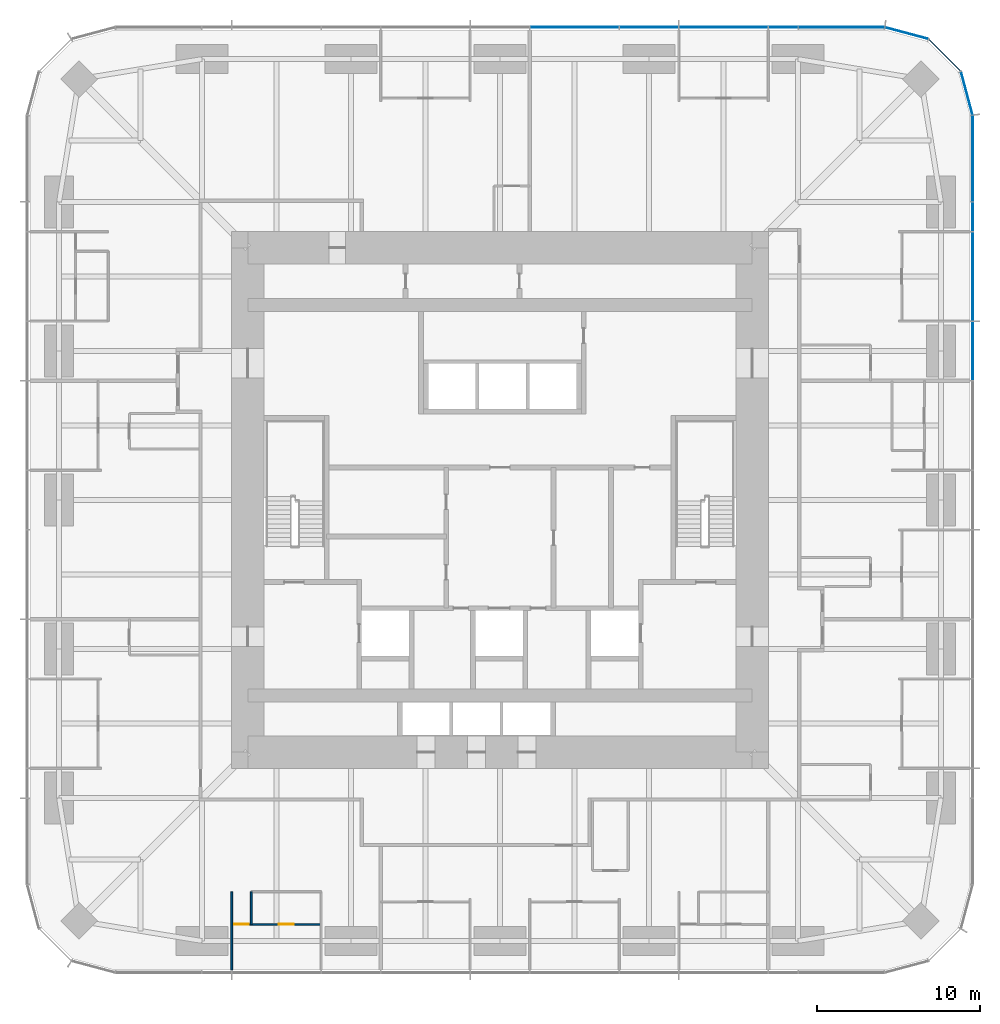
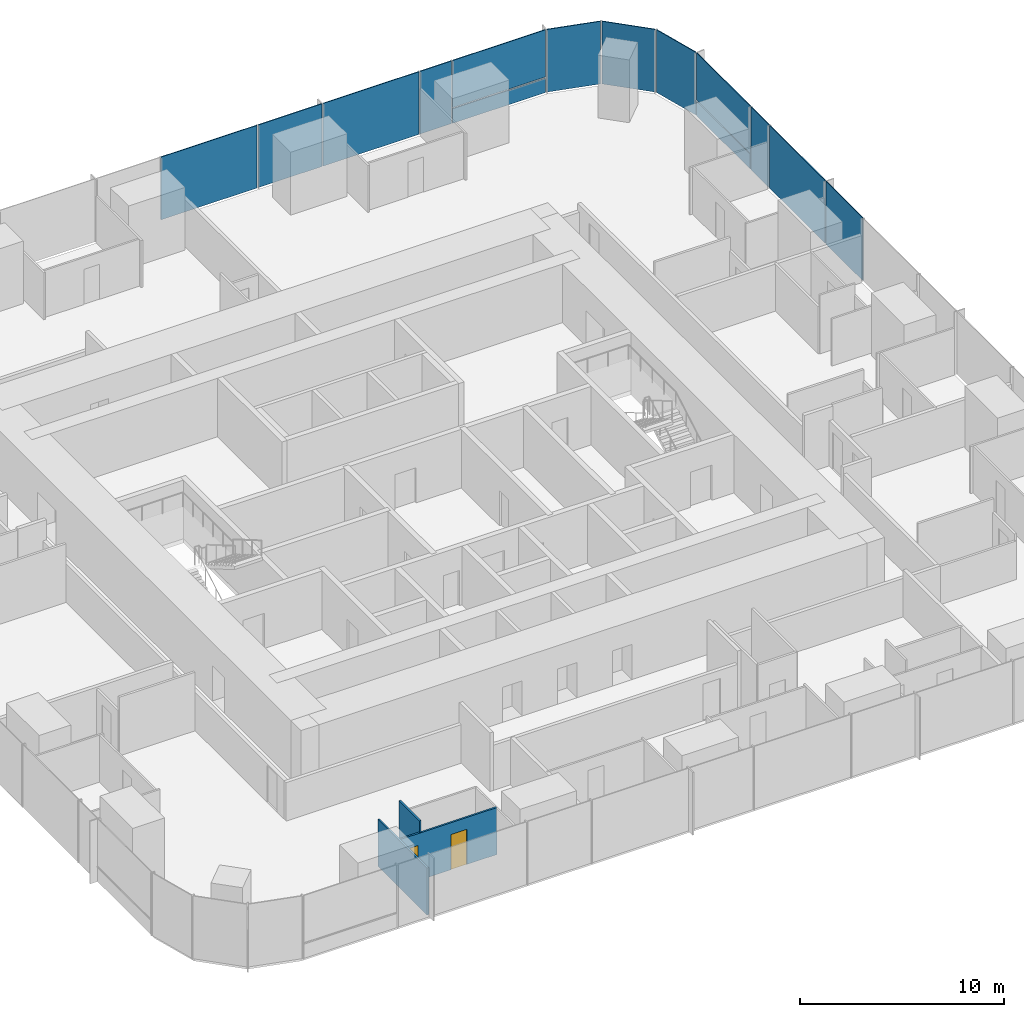
# One storey, part 8 of 13: 14 plates, 3 walls, 2 doors, 2 openings, 3 elements without a shape of their own.
"""IFC4 building model written with IfcOpenShell, lengths in metres."""

from ifc_helpers import new_model, si_unit, direction, frame, frame_2d, origin, origin_2d, place, context, subcontext, project, spatial, rectangle, extrude, material, layer, layer_set, type_object, element, fill, aggregate, save


model = new_model("IFC4")

# Units and contexts
model_context = context("Model", 3, precision=1e-05, world=origin(), true_north=direction((0.0, 1.0)))
body_context = subcontext(model_context, "Body", "Model", "MODEL_VIEW")
ifc_project = project(units=[si_unit("LENGTHUNIT", "METRE"), si_unit("AREAUNIT", "SQUARE_METRE"), si_unit("VOLUMEUNIT", "CUBIC_METRE"), si_unit("PLANEANGLEUNIT", "RADIAN"), si_unit("MASSUNIT", "GRAM", prefix="KILO")], contexts=[model_context])

# Site, building, storey
site_placement = place(None, origin())
site = spatial("IfcSite", under=ifc_project, at=site_placement, CompositionType="ELEMENT")
building_placement = place(site_placement, origin())
building = spatial("IfcBuilding", under=site, at=building_placement, Name="Khuree Lantern Residences", CompositionType="ELEMENT")
storey_placement = place(building_placement, frame((0.0, 0.0, 126.0)))
storey = spatial("IfcBuildingStorey", under=building, at=storey_placement, Name="L31", CompositionType="ELEMENT", Elevation=126.0)

# Curtain wall, plates
ifc_material_1 = material(Name="Bronze anodised aluminium", Category="aluminium")
curtain_wall_type_1 = type_object("IfcCurtainWallType", Name="CW-T2 TOWER CORNER CURTAIN WALL", PredefinedType="USERDEFINED", material=ifc_material_1)
curtain_wall_1_placement = place(storey_placement, origin())
curtain_wall_1 = element("IfcCurtainWall", 1, at=curtain_wall_1_placement, inside=storey, type_object=curtain_wall_type_1, Name="L31 NORTH-EAST CORNER CURTAIN WALL", ObjectType="Faceted corner curtain wall", PredefinedType="USERDEFINED")
ifc_material_2 = material(Name="Bronze tinted triple glazing", Category="glass")
ifc_layer_1 = layer(ifc_material_2, 0.048095703125)
ifc_layer_set_1 = layer_set([ifc_layer_1], Name="FACET PANEL P4")
plate_type_1 = type_object("IfcPlateType", Name="FACET PANEL P4", PredefinedType="CURTAIN_PANEL", material=ifc_layer_set_1)
plate_1_placement = place(storey_placement, frame((28.688720703125, 24.998046875, 0.0), z_axis=(0.0, 0.0, 1.0), x_axis=(-0.258819105321, 0.965925810153, 0.0)))
plate_1 = element("IfcPlate", 2, at=plate_1_placement, type_object=plate_type_1, Name="L31 NORTH-EAST CORNER PANEL 15.1", PredefinedType="CURTAIN_PANEL", context=body_context, shape_type="SweptSolid", body=[
    extrude(rectangle(XDim=2.71923828125, YDim=0.048095703125, at=origin_2d()), origin(), (0.0, 0.0, 1.0), 3.75),
])
plate_2_placement = place(storey_placement, frame((27.33837890625, 27.33837890625, 0.0), z_axis=(0.0, 0.0, 1.0), x_axis=(-0.707106781187, 0.707106781187, 0.0)))
plate_2 = element("IfcPlate", 3, at=plate_2_placement, type_object=plate_type_1, Name="L31 NORTH-EAST CORNER PANEL 16.1", PredefinedType="CURTAIN_PANEL", context=body_context, shape_type="SweptSolid", body=[
    extrude(rectangle(XDim=2.715087890625, YDim=0.048095703125, at=origin_2d()), origin(), (0.0, 0.0, 1.0), 3.75),
])
plate_3_placement = place(storey_placement, frame((24.998046875, 28.688720703125, 0.0), z_axis=(0.0, 0.0, 1.0), x_axis=(-0.965925810153, 0.258819105321, 0.0)))
plate_3 = element("IfcPlate", 4, at=plate_3_placement, type_object=plate_type_1, Name="L31 NORTH-EAST CORNER PANEL 17.1", PredefinedType="CURTAIN_PANEL", context=body_context, shape_type="SweptSolid", body=[
    extrude(rectangle(XDim=2.71923828125, YDim=0.048095703125, at=origin_2d()), origin(), (0.0, 0.0, 1.0), 3.75),
])
aggregate(curtain_wall_1, [plate_1, plate_2, plate_3])

# Curtain wall, plate
curtain_wall_type_2 = type_object("IfcCurtainWallType", Name="CW-T1 TOWER FACE CURTAIN WALL", PredefinedType="USERDEFINED", material=ifc_material_1)
curtain_wall_2_placement = place(storey_placement, origin())
curtain_wall_2 = element("IfcCurtainWall", 5, at=curtain_wall_2_placement, inside=storey, type_object=curtain_wall_type_2, Name="L31 EAST FACE CURTAIN WALL", ObjectType="Stick-built curtain wall", PredefinedType="USERDEFINED")
ifc_material_3 = material(Name="Bronze tinted triple glazing with a ceramic-fritted spandrel band", Category="glass")
ifc_layer_2 = layer(ifc_material_3, 0.048095703125)
ifc_layer_set_2 = layer_set([ifc_layer_2], Name="FIXED LIGHT PANEL P11")
plate_type_2 = type_object("IfcPlateType", Name="FIXED LIGHT PANEL P11", PredefinedType="CURTAIN_PANEL", material=ifc_layer_set_2)
plate_4_placement = place(storey_placement, frame((29.050048828125, 13.739990234375, 0.0), z_axis=(0.0, 0.0, 1.0), x_axis=(0.0, 1.0, 0.0)))
plate_4 = element("IfcPlate", 6, at=plate_4_placement, type_object=plate_type_2, Name="L31 EAST FACE PANEL 12.1", PredefinedType="CURTAIN_PANEL", context=body_context, shape_type="SweptSolid", body=[
    extrude(rectangle(XDim=5.430908203125, YDim=0.048095703125, at=origin_2d()), origin(), (0.0, 0.0, 1.0), 3.75),
])

# Curtain wall, plates
curtain_wall_3_placement = place(storey_placement, origin())
curtain_wall_3 = element("IfcCurtainWall", 7, at=curtain_wall_3_placement, inside=storey, type_object=curtain_wall_type_2, Name="L31 NORTH FACE CURTAIN WALL", ObjectType="Stick-built curtain wall", PredefinedType="USERDEFINED")
plate_5_placement = place(storey_placement, frame((13.739990234375, 29.050048828125, 0.0), z_axis=(0.0, 0.0, 1.0), x_axis=(-1.0, 0.0, 0.0)))
plate_5 = element("IfcPlate", 8, at=plate_5_placement, type_object=plate_type_2, Name="L31 NORTH FACE PANEL 20.1", PredefinedType="CURTAIN_PANEL", context=body_context, shape_type="SweptSolid", body=[
    extrude(rectangle(XDim=5.430908203125, YDim=0.048095703125, at=origin_2d()), origin(), (0.0, 0.0, 1.0), 3.75),
])
plate_6_placement = place(storey_placement, frame((4.580078125, 29.050048828125, 0.0), z_axis=(0.0, 0.0, 1.0), x_axis=(-1.0, 0.0, 0.0)))
plate_6 = element("IfcPlate", 9, at=plate_6_placement, type_object=plate_type_2, Name="L31 NORTH FACE PANEL 22.1", PredefinedType="CURTAIN_PANEL", context=body_context, shape_type="SweptSolid", body=[
    extrude(rectangle(XDim=5.430908203125, YDim=0.048095703125, at=origin_2d()), origin(), (0.0, 0.0, 1.0), 3.75),
])

# Plate
ifc_material_4 = material(Name="Bronze tinted triple glazing, two aluminium-framed sashes in one frame", Category="aluminium")
ifc_layer_3 = layer(ifc_material_4, 0.048095703125)
ifc_layer_set_3 = layer_set([ifc_layer_3], Name="SASH PAIR PANEL P12")
plate_type_3 = type_object("IfcPlateType", Name="SASH PAIR PANEL P12", PredefinedType="CURTAIN_PANEL", material=ifc_layer_set_3)
plate_7_placement = place(storey_placement, frame((29.050048828125, 9.159912109375, 0.0), z_axis=(0.0, 0.0, 1.0), x_axis=(0.0, 1.0, 0.0)))
plate_7 = element("IfcPlate", 10, at=plate_7_placement, type_object=plate_type_3, Name="L31 EAST FACE PANEL 11.1", PredefinedType="CURTAIN_PANEL", context=body_context, shape_type="SweptSolid", body=[
    extrude(rectangle(XDim=3.59912109375, YDim=0.048095703125, at=origin_2d()), origin(), (0.0, 0.0, 1.0), 3.75),
])

plate_8_placement = place(storey_placement, frame((9.159912109375, 29.050048828125, 0.0), z_axis=(0.0, 0.0, 1.0), x_axis=(-1.0, 0.0, 0.0)))
plate_8 = element("IfcPlate", 11, at=plate_8_placement, type_object=plate_type_3, Name="L31 NORTH FACE PANEL 21.1", PredefinedType="CURTAIN_PANEL", context=body_context, shape_type="SweptSolid", body=[
    extrude(rectangle(XDim=3.59912109375, YDim=0.048095703125, at=origin_2d()), origin(), (0.0, 0.0, 1.0), 3.75),
])

ifc_material_5 = material(Name="Bronze tinted triple glazing, aluminium-framed sash", Category="aluminium")
ifc_layer_4 = layer(ifc_material_5, 0.048095703125)
ifc_layer_set_4 = layer_set([ifc_layer_4], Name="SASH PANEL P3")
plate_type_4 = type_object("IfcPlateType", Name="SASH PANEL P3", PredefinedType="CURTAIN_PANEL", material=ifc_layer_set_4)
plate_9_placement = place(storey_placement, frame((29.050048828125, 17.404052734375, 0.0), z_axis=(0.0, 0.0, 1.0), x_axis=(0.0, 1.0, 0.0)))
plate_9 = element("IfcPlate", 12, at=plate_9_placement, type_object=plate_type_4, Name="L31 EAST FACE PANEL 13.1", PredefinedType="CURTAIN_PANEL", context=body_context, shape_type="SweptSolid", body=[
    extrude(rectangle(XDim=1.76708984375, YDim=0.048095703125, at=origin_2d()), origin(), (0.0, 0.0, 1.0), 3.75),
])

plate_10_placement = place(storey_placement, frame((17.404052734375, 29.050048828125, 0.0), z_axis=(0.0, 0.0, 1.0), x_axis=(-1.0, 0.0, 0.0)))
plate_10 = element("IfcPlate", 13, at=plate_10_placement, type_object=plate_type_4, Name="L31 NORTH FACE PANEL 19.1", PredefinedType="CURTAIN_PANEL", context=body_context, shape_type="SweptSolid", body=[
    extrude(rectangle(XDim=1.76708984375, YDim=0.048095703125, at=origin_2d()), origin(), (0.0, 0.0, 1.0), 3.75),
])

ifc_material_6 = material(Name="Bronze anodised aluminium insulated spandrel", Category="aluminium")
ifc_layer_5 = layer(ifc_material_6, 0.06005859375)
ifc_layer_set_5 = layer_set([ifc_layer_5], Name="SPANDREL PANEL P2")
plate_type_5 = type_object("IfcPlateType", Name="SPANDREL PANEL P2", PredefinedType="CURTAIN_PANEL", material=ifc_layer_set_5)
plate_11_placement = place(storey_placement, frame((29.050048828125, 20.98291015625, 0.0), z_axis=(0.0, 0.0, 1.0), x_axis=(0.0, 1.0, 0.0)))
plate_11 = element("IfcPlate", 14, at=plate_11_placement, type_object=plate_type_5, Name="L31 EAST FACE PANEL 14.1", PredefinedType="CURTAIN_PANEL", context=body_context, shape_type="SweptSolid", body=[
    extrude(rectangle(XDim=5.2607421875, YDim=0.06005859375, at=origin_2d()), origin(), (0.0, 0.0, 1.0), 0.867431640625),
])

plate_12_placement = place(storey_placement, frame((20.98291015625, 29.050048828125, 0.0), z_axis=(0.0, 0.0, 1.0), x_axis=(-1.0, 0.0, 0.0)))
plate_12 = element("IfcPlate", 15, at=plate_12_placement, type_object=plate_type_5, Name="L31 NORTH FACE PANEL 18.1", PredefinedType="CURTAIN_PANEL", context=body_context, shape_type="SweptSolid", body=[
    extrude(rectangle(XDim=5.2607421875, YDim=0.06005859375, at=origin_2d()), origin(), (0.0, 0.0, 1.0), 0.867431640625),
])

ifc_layer_6 = layer(ifc_material_2, 0.048095703125)
ifc_layer_set_6 = layer_set([ifc_layer_6], Name="VISION PANEL P1")
plate_type_6 = type_object("IfcPlateType", Name="VISION PANEL P1", PredefinedType="CURTAIN_PANEL", material=ifc_layer_set_6)
plate_13_placement = place(storey_placement, frame((29.050048828125, 20.9833984375, 0.9326171875), z_axis=(0.0, 0.0, 1.0), x_axis=(0.0, 1.0, 0.0)))
plate_13 = element("IfcPlate", 16, at=plate_13_placement, type_object=plate_type_6, Name="L31 EAST FACE PANEL 14.2", PredefinedType="CURTAIN_PANEL", context=body_context, shape_type="SweptSolid", body=[
    extrude(rectangle(XDim=5.261474609375, YDim=0.048095703125, at=origin_2d()), origin(), (0.0, 0.0, 1.0), 2.8173828125),
])

aggregate(curtain_wall_2, [plate_7, plate_4, plate_9, plate_11, plate_13])

plate_14_placement = place(storey_placement, frame((20.9833984375, 29.050048828125, 0.9326171875), z_axis=(0.0, 0.0, 1.0), x_axis=(-1.0, 0.0, 0.0)))
plate_14 = element("IfcPlate", 17, at=plate_14_placement, type_object=plate_type_6, Name="L31 NORTH FACE PANEL 18.2", PredefinedType="CURTAIN_PANEL", context=body_context, shape_type="SweptSolid", body=[
    extrude(rectangle(XDim=5.261474609375, YDim=0.048095703125, at=origin_2d()), origin(), (0.0, 0.0, 1.0), 2.8173828125),
])

aggregate(curtain_wall_3, [plate_12, plate_14, plate_10, plate_5, plate_8, plate_6])

# Wall
ifc_material_7 = material(Name="Gypsum board on steel studs", Category="steel")
ifc_layer_7 = layer(ifc_material_7, 0.10009765625)
ifc_layer_set_7 = layer_set([ifc_layer_7], Name="PARTITION PT100")
wall_type = type_object("IfcWallType", Name="PARTITION PT100", PredefinedType="PARTITIONING", material=ifc_layer_set_7)
wall_1_placement = place(storey_placement, frame((-16.488037109375, -24.079833984375, 0.0), z_axis=(0.0, 0.0, 1.0), x_axis=(0.0, -1.0, 0.0)))
element("IfcWall", 18, at=wall_1_placement, inside=storey, type_object=wall_type, Name="L31 PARTITION 05", PredefinedType="PARTITIONING", context=body_context, shape_type="SweptSolid", body=[
    extrude(rectangle(XDim=4.820068359375, YDim=0.10009765625, at=frame_2d((2.41015625, 0.0))), origin(), (0.0, 0.0, 1.0), 2.81005859375),
])

# Wall, openings, doors
wall_2_placement = place(storey_placement, frame((-16.488037109375, -26.079833984375, 0.0), z_axis=(0.0, 0.0, 1.0), x_axis=(1.0, 0.0, 0.0)))
wall_2 = element("IfcWall", 19, at=wall_2_placement, inside=storey, type_object=wall_type, Name="L31 PARTITION 05", PredefinedType="PARTITIONING", context=body_context, shape_type="SweptSolid", body=[
    extrude(rectangle(XDim=5.49609375, YDim=0.10009765625, at=frame_2d((2.748046875, 0.0))), origin(), (0.0, 0.0, 1.0), 2.81005859375),
])
opening_1_placement = place(wall_2_placement, frame((0.14990234375, 0.0, 0.0)))
opening_1 = element("IfcOpeningElement", 20, at=opening_1_placement, cuts=wall_2, Name="Opening 31-042", PredefinedType="OPENING", context=body_context, shape_type="SweptSolid", body=[
    extrude(rectangle(XDim=0.89990234375, YDim=2.10009765625, at=frame_2d((0.449951171875, 1.050048828125))), frame((0.0, 0.06005859375, 0.0), z_axis=(0.0, -1.0, 0.0), x_axis=(1.0, 0.0, 0.0)), (0.0, 0.0, 1.0), 0.1201171875),
])
opening_2_placement = place(wall_2_placement, frame((2.89794921875, 0.0, 0.0)))
opening_2 = element("IfcOpeningElement", 21, at=opening_2_placement, cuts=wall_2, Name="Opening 31-043", PredefinedType="OPENING", context=body_context, shape_type="SweptSolid", body=[
    extrude(rectangle(XDim=0.89990234375, YDim=2.10009765625, at=frame_2d((0.449951171875, 1.050048828125))), frame((0.0, 0.06005859375, 0.0), z_axis=(0.0, -1.0, 0.0), x_axis=(1.0, 0.0, 0.0)), (0.0, 0.0, 1.0), 0.1201171875),
])
ifc_material_8 = material(Name="Timber door leaf in hardwood frame", Category="wood")
door_type_1 = type_object("IfcDoorType", Name="BEDROOM DOOR 900X2100", OperationType="SINGLE_SWING_LEFT", PredefinedType="DOOR", material=ifc_material_8)
door_1_placement = place(opening_1_placement, origin())
door_1 = element("IfcDoor", 22, at=door_1_placement, inside=storey, type_object=door_type_1, Name="Bedroom door 31-042", OperationType="SINGLE_SWING_LEFT", OverallHeight=2.10009765625, OverallWidth=0.89990234375, PredefinedType="DOOR", context=body_context, shape_type="SweptSolid", body=[
    extrude(rectangle(XDim=0.89990234375, YDim=2.10009765625, at=frame_2d((0.449951171875, 1.050048828125))), frame((0.0, 0.02490234375, 0.0), z_axis=(0.0, -1.0, 0.0), x_axis=(1.0, 0.0, 0.0)), (0.0, 0.0, 1.0), 0.050048828125),
])
fill(opening_1, door_1)
door_type_2 = type_object("IfcDoorType", Name="DOOR 900X2100", OperationType="SINGLE_SWING_LEFT", PredefinedType="DOOR", material=ifc_material_8)
door_2_placement = place(opening_2_placement, origin())
door_2 = element("IfcDoor", 23, at=door_2_placement, inside=storey, type_object=door_type_2, Name="Wardrobe door 31-043", OperationType="SINGLE_SWING_LEFT", OverallHeight=2.10009765625, OverallWidth=0.89990234375, PredefinedType="DOOR", context=body_context, shape_type="SweptSolid", body=[
    extrude(rectangle(XDim=0.89990234375, YDim=2.10009765625, at=frame_2d((0.449951171875, 1.050048828125))), frame((0.0, 0.02490234375, 0.0), z_axis=(0.0, -1.0, 0.0), x_axis=(1.0, 0.0, 0.0)), (0.0, 0.0, 1.0), 0.050048828125),
])
fill(opening_2, door_2)

# Wall
wall_3_placement = place(storey_placement, frame((-15.2880859375, -24.079833984375, 0.0), z_axis=(0.0, 0.0, 1.0), x_axis=(0.0, -1.0, 0.0)))
element("IfcWall", 24, at=wall_3_placement, inside=storey, type_object=wall_type, Name="L31 PARTITION 05", PredefinedType="PARTITIONING", context=body_context, shape_type="SweptSolid", body=[
    extrude(rectangle(XDim=2.0, YDim=0.10009765625, at=frame_2d((1.0, 0.0))), origin(), (0.0, 0.0, 1.0), 3.5),
])

save(model, "model.ifc")
